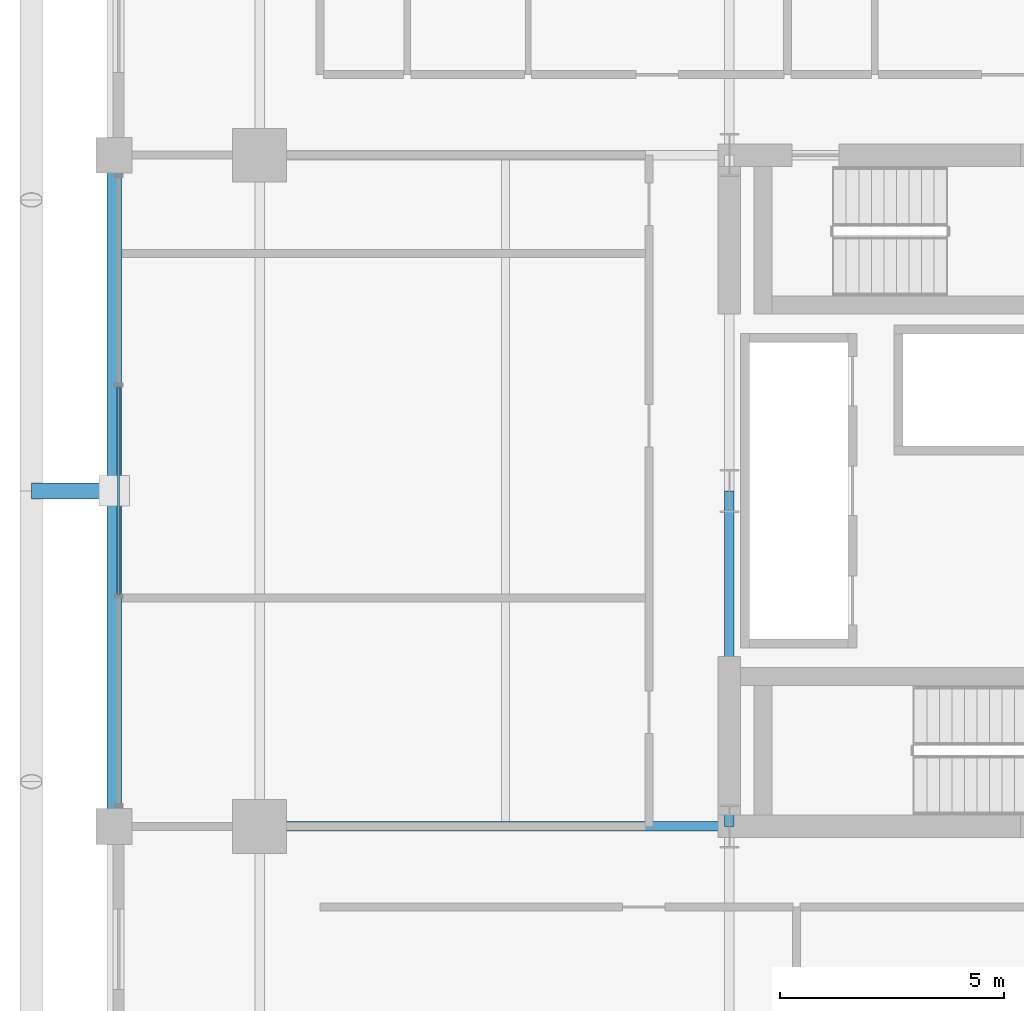
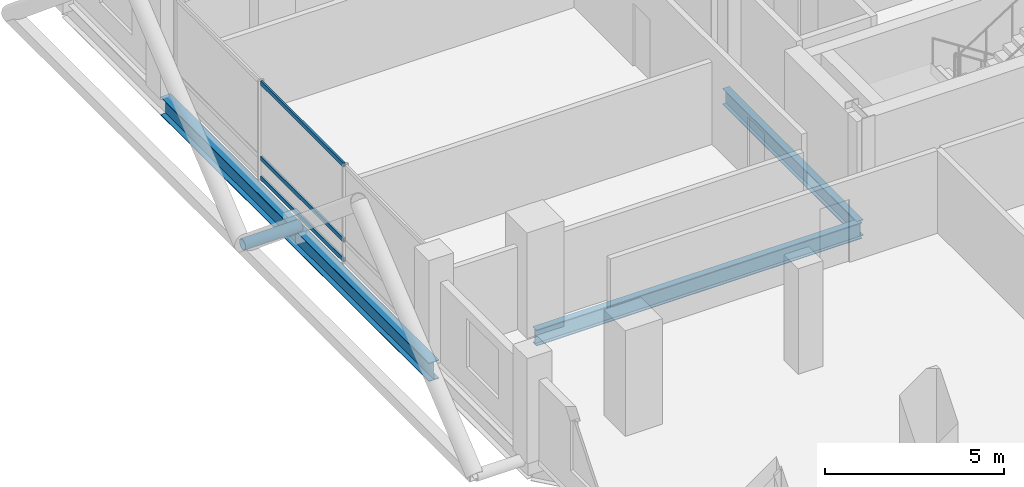
# One storey, part 6 of 24: 4 members, 3 beams, 1 element without a shape of its own.
"""IFC4 building model written with IfcOpenShell, lengths in metres."""

from ifc_helpers import new_model, si_unit, direction, frame, origin, origin_2d, place, context, subcontext, project, spatial, hollow_rectangle, hollow_circle, i_section, extrude, material, layer, layer_set, material_profile, profile_set, type_object, element, aggregate, save


model = new_model("IFC4")

# Units and contexts
model_context = context("Model", 3, precision=1e-05, world=origin(), true_north=direction((0.0, 1.0)))
body_context = subcontext(model_context, "Body", "Model", "MODEL_VIEW")
ifc_project = project(units=[si_unit("LENGTHUNIT", "METRE"), si_unit("AREAUNIT", "SQUARE_METRE"), si_unit("VOLUMEUNIT", "CUBIC_METRE"), si_unit("PLANEANGLEUNIT", "RADIAN"), si_unit("MASSUNIT", "GRAM", prefix="KILO")], contexts=[model_context])

# Site, building, storey
site_placement = place(None, origin())
site = spatial("IfcSite", under=ifc_project, at=site_placement, CompositionType="ELEMENT")
building_placement = place(site_placement, origin())
building = spatial("IfcBuilding", under=site, at=building_placement, Name="Barlavira Tower and Art Museum", CompositionType="ELEMENT")
storey_placement = place(building_placement, frame((0.0, 0.0, 109.800048828125)))
storey = spatial("IfcBuildingStorey", under=building, at=storey_placement, Name="L27", CompositionType="ELEMENT", Elevation=109.800048828125)

# Curtain wall, members
ifc_material_1 = material(Name="Low-iron coastal laminated glass", Category="glass")
ifc_layer = layer(ifc_material_1, 0.18994140625, Name="Low-iron coastal laminated glass")
ifc_layer_set = layer_set([ifc_layer], Name="Low-iron coastal laminated glass")
curtain_wall_type = type_object("IfcCurtainWallType", Name="Pale-Metal Unitised Curtain Wall Zone 2", PredefinedType="NOTDEFINED", material=ifc_layer_set)
curtain_wall_placement = place(storey_placement, origin())
curtain_wall = element("IfcCurtainWall", 1, at=curtain_wall_placement, inside=storey, type_object=curtain_wall_type, Name="L27 Curtain Wall CW2-L27-W-B3", PredefinedType="NOTDEFINED")
ifc_material_2 = material(Name="Pale anodised aluminium", Category="aluminium")
ifc_material_profile_1 = material_profile(ifc_material_2, hollow_rectangle(XDim=0.06494140625, YDim=0.139892578125, WallThickness=0.00390625, at=origin_2d()), Name="ALU-TRAN 65x140x4")
ifc_profile_set_1 = profile_set([ifc_material_profile_1], Name="Pale anodised aluminium")
member_type_1 = type_object("IfcMemberType", Name="Curtain Wall Pale-Metal Transom 65x140", PredefinedType="USERDEFINED", material=ifc_profile_set_1)
member_1_placement = place(storey_placement, frame((-20.14990234375, 2.31494140625, 0.070068359375), z_axis=(0.0, -1.0, 0.0), x_axis=(1.0, 0.0, 0.0)))
member_1 = element("IfcMember", 2, at=member_1_placement, type_object=member_type_1, Name="CW2-L27-W-B3 Transom 1.1", ObjectType="TRANSOM", PredefinedType="USERDEFINED", context=body_context, shape_type="SweptSolid", body=[
    extrude(hollow_rectangle(XDim=0.06494140625, YDim=0.139892578125, WallThickness=0.00390625, at=origin_2d()), origin(), (0.0, 0.0, 1.0), 4.6298828125),
])
member_2_placement = place(storey_placement, frame((-20.14990234375, 2.31494140625, 0.743896484375), z_axis=(0.0, -1.0, 0.0), x_axis=(1.0, 0.0, 0.0)))
member_2 = element("IfcMember", 3, at=member_2_placement, type_object=member_type_1, Name="CW2-L27-W-B3 Transom 1.2", ObjectType="TRANSOM", PredefinedType="USERDEFINED", context=body_context, shape_type="SweptSolid", body=[
    extrude(hollow_rectangle(XDim=0.06494140625, YDim=0.139892578125, WallThickness=0.00390625, at=origin_2d()), origin(), (0.0, 0.0, 1.0), 4.6298828125),
])
member_3_placement = place(storey_placement, frame((-20.14990234375, 2.31494140625, 3.31005859375), z_axis=(0.0, -1.0, 0.0), x_axis=(1.0, 0.0, 0.0)))
member_3 = element("IfcMember", 4, at=member_3_placement, type_object=member_type_1, Name="CW2-L27-W-B3 Transom 1.3", ObjectType="TRANSOM", PredefinedType="USERDEFINED", context=body_context, shape_type="SweptSolid", body=[
    extrude(hollow_rectangle(XDim=0.06494140625, YDim=0.139892578125, WallThickness=0.00390625, at=origin_2d()), origin(), (0.0, 0.0, 1.0), 4.6298828125),
])
aggregate(curtain_wall, [member_1, member_2, member_3])

# Member
ifc_material_3 = material(Name="Steel S355", Category="steel")
ifc_material_profile_2 = material_profile(ifc_material_3, hollow_circle(Radius=0.177734375, WallThickness=0.01611328125, at=origin_2d()), Name="CHS 355.6x16.0")
ifc_profile_set_2 = profile_set([ifc_material_profile_2], Name="Steel S355")
member_type_2 = type_object("IfcMemberType", Name="Pale-Metal Exoskeleton Tie Strut CHS 356x16 Steel S355", PredefinedType="STRUT", material=ifc_profile_set_2)
member_4_placement = place(storey_placement, frame((-22.10009765625, 0.0, -0.1201171875), z_axis=(1.0, 0.0, 0.0), x_axis=(0.0, 1.0, 0.0)))
element("IfcMember", 5, at=member_4_placement, inside=storey, type_object=member_type_2, Name="L27 Exoskeleton Tie Strut W2", PredefinedType="STRUT", context=body_context, shape_type="SweptSolid", body=[
    extrude(hollow_circle(Radius=0.177734375, WallThickness=0.01611328125, at=origin_2d()), origin(), (0.0, 0.0, 1.0), 1.85009765625),
])

# Beams
ifc_material_profile_3 = material_profile(ifc_material_3, i_section(OverallWidth=0.327880859375, OverallDepth=0.62890625, WebThickness=0.013916015625, FlangeThickness=0.021484375, at=origin_2d()), Name="W610x174.0")
ifc_profile_set_3 = profile_set([ifc_material_profile_3], Name="Steel S355")
beam_type_1 = type_object("IfcBeamType", Name="Perimeter Spandrel Edge Beam W610x174 Steel S355", PredefinedType="SPANDREL", material=ifc_profile_set_3)
beam_1_placement = place(storey_placement, frame((-20.25, -7.5, -0.53466796875), z_axis=(0.0, 1.0, 0.0), x_axis=(-1.0, 0.0, 0.0)))
element("IfcBeam", 6, at=beam_1_placement, inside=storey, type_object=beam_type_1, Name="L27 Spandrel 14", PredefinedType="SPANDREL", context=body_context, shape_type="SweptSolid", body=[
    extrude(i_section(OverallWidth=0.327880859375, OverallDepth=0.62890625, WebThickness=0.013916015625, FlangeThickness=0.021484375, at=origin_2d()), origin(), (0.0, 0.0, 1.0), 15.0),
])
ifc_material_profile_4 = material_profile(ifc_material_3, i_section(OverallWidth=0.214111328125, OverallDepth=0.549072265625, WebThickness=0.0146484375, FlangeThickness=0.023681640625, at=origin_2d()), Name="W530x138.0")
ifc_profile_set_4 = profile_set([ifc_material_profile_4], Name="Steel S355")
beam_type_2 = type_object("IfcBeamType", Name="Zone 1 Primary Floor Girder W530x138 Steel S355", PredefinedType="BEAM", material=ifc_profile_set_4)
beam_2_placement = place(storey_placement, frame((-6.5, -7.5, -0.49462890625), z_axis=(0.0, 1.0, 0.0), x_axis=(-1.0, 0.0, 0.0)))
element("IfcBeam", 7, at=beam_2_placement, inside=storey, type_object=beam_type_2, Name="L27 Girder C-W1", PredefinedType="BEAM", context=body_context, shape_type="SweptSolid", body=[
    extrude(i_section(OverallWidth=0.214111328125, OverallDepth=0.549072265625, WebThickness=0.0146484375, FlangeThickness=0.023681640625, at=origin_2d()), origin(), (0.0, 0.0, 1.0), 7.5),
])
beam_3_placement = place(storey_placement, frame((-17.0, -7.5, -0.49462890625), z_axis=(1.0, 0.0, 0.0), x_axis=(0.0, 1.0, 0.0)))
element("IfcBeam", 8, at=beam_3_placement, inside=storey, type_object=beam_type_2, Name="L27 Girder R-W1", PredefinedType="BEAM", context=body_context, shape_type="SweptSolid", body=[
    extrude(i_section(OverallWidth=0.214111328125, OverallDepth=0.549072265625, WebThickness=0.0146484375, FlangeThickness=0.023681640625, at=origin_2d()), origin(), (0.0, 0.0, 1.0), 10.5),
])

save(model, "model.ifc")
